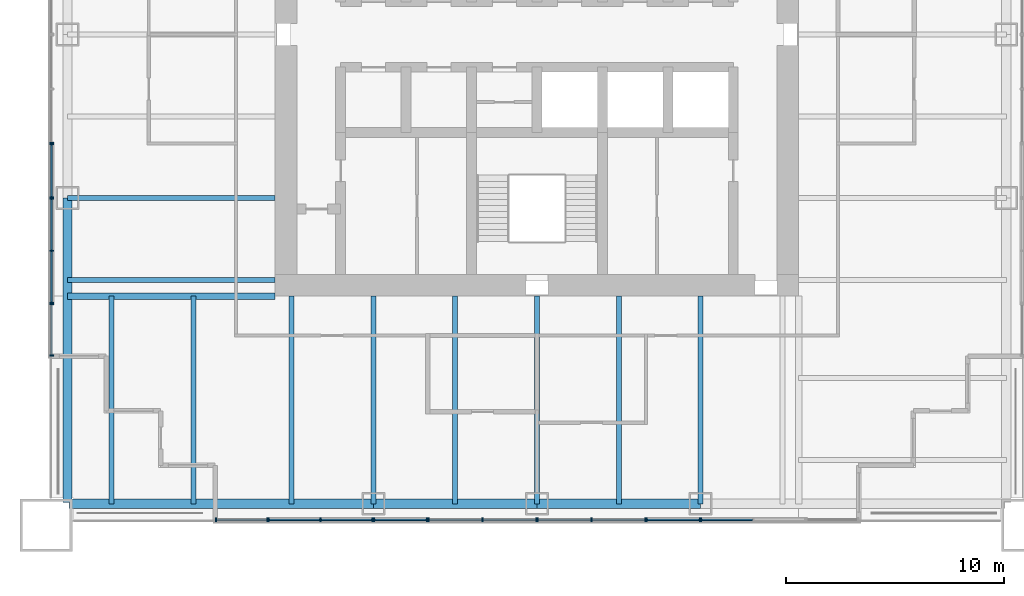
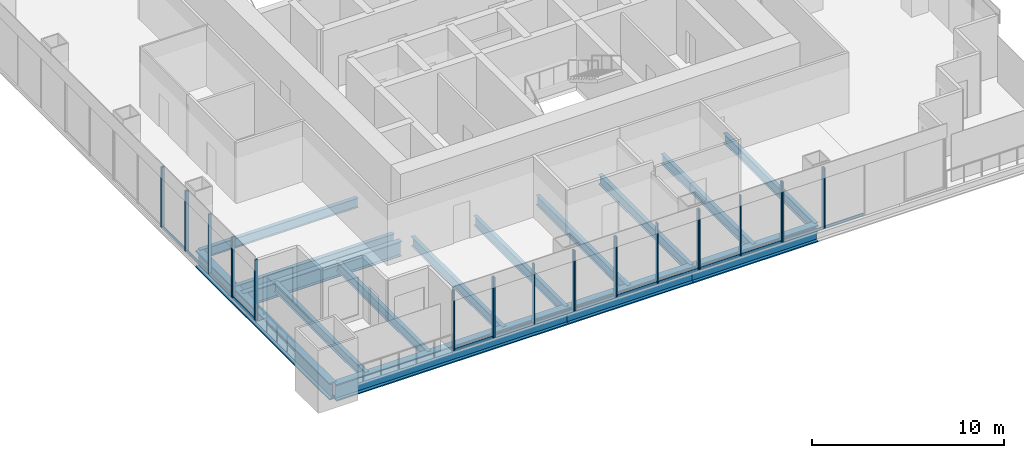
# One storey, part 2 of 13: 38 members, 15 beams, 11 elements without a shape of their own.
"""IFC4 building model written with IfcOpenShell, lengths in metres."""

from ifc_helpers import new_model, si_unit, direction, frame, origin, origin_2d, place, context, subcontext, project, spatial, rectangle, i_section, extrude, material, material_profile, profile_set, type_object, element, aggregate, save


model = new_model("IFC4")

# Units and contexts
model_context = context("Model", 3, precision=1e-05, world=origin(), true_north=direction((0.0, 1.0)))
body_context = subcontext(model_context, "Body", "Model", "MODEL_VIEW")
ifc_project = project(units=[si_unit("LENGTHUNIT", "METRE"), si_unit("AREAUNIT", "SQUARE_METRE"), si_unit("VOLUMEUNIT", "CUBIC_METRE"), si_unit("PLANEANGLEUNIT", "RADIAN"), si_unit("MASSUNIT", "GRAM", prefix="KILO")], contexts=[model_context])

# Site, building, storey
site_placement = place(None, origin())
site = spatial("IfcSite", under=ifc_project, at=site_placement, CompositionType="ELEMENT")
building_placement = place(site_placement, origin())
building = spatial("IfcBuilding", under=site, at=building_placement, Name="Tarangal Relay Tower", CompositionType="ELEMENT")
storey_placement = place(building_placement, frame((0.0, 0.0, 225.89990234375)))
storey = spatial("IfcBuildingStorey", under=building, at=storey_placement, Name="L48", CompositionType="ELEMENT", Elevation=225.89990234375)

# Beams
ifc_material_1 = material(Name="Steel ASTM A992", Category="steel")
ifc_material_profile_1 = material_profile(ifc_material_1, i_section(OverallWidth=0.227783203125, OverallDepth=0.60205078125, WebThickness=0.010498046875, FlangeThickness=0.014892578125, at=origin_2d()), Name="W24X68")
ifc_profile_set_1 = profile_set([ifc_material_profile_1], Name="Steel ASTM A992")
beam_type_1 = type_object("IfcBeamType", Name="Corner beam W24X68", PredefinedType="JOIST", material=ifc_profile_set_1)
for number, where, z_axis, x_axis, name in (
    (1, (-15.75, -12.0, -0.450927734375), (0.0, -1.0, 0.0), (1.0, 0.0, 0.0), "Corner beam CB11 S L48"),
    (2, (-19.5, -12.0, -0.450927734375), (0.0, -1.0, 0.0), (1.0, 0.0, 0.0), "Corner beam CB11 S L48"),
):
    element("IfcBeam", number, at=place(storey_placement, frame(where, z_axis=z_axis, x_axis=x_axis)), inside=storey, type_object=beam_type_1, Name=name, PredefinedType="JOIST", context=body_context, shape_type="SweptSolid", body=[
        extrude(i_section(OverallWidth=0.227783203125, OverallDepth=0.60205078125, WebThickness=0.010498046875, FlangeThickness=0.014892578125, at=origin_2d()), origin(), (0.0, 0.0, 1.0), 9.514892578125),
    ])
ifc_material_profile_2 = material_profile(ifc_material_1, i_section(OverallWidth=0.307373046875, OverallDepth=0.9423828125, WebThickness=0.022216796875, FlangeThickness=0.039794921875, at=origin_2d()), Name="W36X232")
ifc_profile_set_2 = profile_set([ifc_material_profile_2], Name="Steel ASTM A992")
beam_type_2 = type_object("IfcBeamType", Name="Corner girder W36X232", PredefinedType="BEAM", material=ifc_profile_set_2)
beam_placement = place(storey_placement, frame((-12.0, -12.0, -0.62109375), z_axis=(-1.0, 0.0, 0.0), x_axis=(0.0, -1.0, 0.0)))
element("IfcBeam", 3, at=beam_placement, inside=storey, type_object=beam_type_2, Name="Corner girder CG4 S L48", PredefinedType="BEAM", context=body_context, shape_type="SweptSolid", body=[
    extrude(i_section(OverallWidth=0.307373046875, OverallDepth=0.9423828125, WebThickness=0.022216796875, FlangeThickness=0.039794921875, at=origin_2d()), origin(), (0.0, 0.0, 1.0), 9.514892578125),
])
ifc_material_profile_3 = material_profile(ifc_material_1, i_section(OverallWidth=0.41650390625, OverallDepth=1.0693359375, WebThickness=0.0390625, FlangeThickness=0.070068359375, at=origin_2d()), Name="W40X503")
ifc_profile_set_3 = profile_set([ifc_material_profile_3], Name="Steel ASTM A992")
beam_type_3 = type_object("IfcBeamType", Name="Edge girder W40X503", PredefinedType="SPANDREL", material=ifc_profile_set_3)
for number, where, z_axis, x_axis, name in (
    (4, (7.5, -21.514892578125, -0.6845703125), (-1.0, 0.0, 0.0), (0.0, -1.0, 0.0), "Edge girder EG8 S L48"),
    (5, (0.0, -21.514892578125, -0.6845703125), (-1.0, 0.0, 0.0), (0.0, -1.0, 0.0), "Edge girder EG8 S L48"),
):
    element("IfcBeam", number, at=place(storey_placement, frame(where, z_axis=z_axis, x_axis=x_axis)), inside=storey, type_object=beam_type_3, Name=name, PredefinedType="SPANDREL", context=body_context, shape_type="SweptSolid", body=[
        extrude(i_section(OverallWidth=0.41650390625, OverallDepth=1.0693359375, WebThickness=0.0390625, FlangeThickness=0.070068359375, at=origin_2d()), origin(), (0.0, 0.0, 1.0), 7.5),
    ])
for number, where, z_axis, x_axis, name in (
    (6, (-7.5, -21.514892578125, -0.6845703125), (-1.0, 0.0, 0.0), (0.0, -1.0, 0.0), "Edge girder EG8 S L48"),
    (7, (-21.514892578125, -21.449951171875, -0.6845703125), (0.0, 1.0, 0.0), (-1.0, 0.0, 0.0), "Edge girder EG8 W L48"),
):
    element("IfcBeam", number, at=place(storey_placement, frame(where, z_axis=z_axis, x_axis=x_axis)), inside=storey, type_object=beam_type_3, Name=name, PredefinedType="SPANDREL", context=body_context, shape_type="SweptSolid", body=[
        extrude(i_section(OverallWidth=0.41650390625, OverallDepth=1.0693359375, WebThickness=0.0390625, FlangeThickness=0.070068359375, at=origin_2d()), origin(), (0.0, 0.0, 1.0), 13.949951171875),
    ])
ifc_material_profile_4 = material_profile(ifc_material_1, i_section(OverallWidth=0.22900390625, OverallDepth=0.612060546875, WebThickness=0.011962890625, FlangeThickness=0.01953125, at=origin_2d()), Name="W24X84")
ifc_profile_set_4 = profile_set([ifc_material_profile_4], Name="Steel ASTM A992")
beam_type_4 = type_object("IfcBeamType", Name="Floor beam W24X84", PredefinedType="BEAM", material=ifc_profile_set_4)
for number, where, z_axis, x_axis, name in (
    (8, (7.5, -12.0, -0.455810546875), (0.0, -1.0, 0.0), (1.0, 0.0, 0.0), "Floor beam RB12 S L48"),
    (9, (3.75, -12.0, -0.455810546875), (0.0, -1.0, 0.0), (1.0, 0.0, 0.0), "Floor beam RB12 S L48"),
    (10, (0.0, -12.0, -0.455810546875), (0.0, -1.0, 0.0), (1.0, 0.0, 0.0), "Floor beam RB12 S L48"),
    (11, (-3.75, -12.0, -0.455810546875), (0.0, -1.0, 0.0), (1.0, 0.0, 0.0), "Floor beam RB12 S L48"),
    (12, (-7.5, -12.0, -0.455810546875), (0.0, -1.0, 0.0), (1.0, 0.0, 0.0), "Floor beam RB12 S L48"),
    (13, (-11.25, -12.0, -0.455810546875), (0.0, -1.0, 0.0), (1.0, 0.0, 0.0), "Floor beam RB12 S L48"),
    (14, (-12.0, -11.25, -0.455810546875), (-1.0, 0.0, 0.0), (0.0, -1.0, 0.0), "Floor beam RB12 W L48"),
    (15, (-12.0, -7.5, -0.455810546875), (-1.0, 0.0, 0.0), (0.0, -1.0, 0.0), "Floor beam RB12 W L48"),
):
    element("IfcBeam", number, at=place(storey_placement, frame(where, z_axis=z_axis, x_axis=x_axis)), inside=storey, type_object=beam_type_4, Name=name, PredefinedType="BEAM", context=body_context, shape_type="SweptSolid", body=[
        extrude(i_section(OverallWidth=0.22900390625, OverallDepth=0.612060546875, WebThickness=0.011962890625, FlangeThickness=0.01953125, at=origin_2d()), origin(), (0.0, 0.0, 1.0), 9.514892578125),
    ])

# Curtain wall, members
ifc_material_2 = material(Name="Unitised curtain wall, dark glass and black aluminium", Category="aluminium")
curtain_wall_type_1 = type_object("IfcCurtainWallType", Name="Curtain wall CW-A", PredefinedType="USERDEFINED", material=ifc_material_2)
curtain_wall_1_placement = place(storey_placement, origin())
curtain_wall_1 = element("IfcCurtainWall", 16, at=curtain_wall_1_placement, inside=storey, type_object=curtain_wall_type_1, Name="Curtain wall CW-A S facade L48", ObjectType="UNITISED CURTAIN WALL", PredefinedType="USERDEFINED")
ifc_material_3 = material(Name="Black anodised aluminium mullion", Category="aluminium")
ifc_material_profile_5 = material_profile(ifc_material_3, rectangle(XDim=0.175048828125, YDim=0.06494140625, at=origin_2d()), Name="CW-AM 65X175")
ifc_profile_set_5 = profile_set([ifc_material_profile_5], Name="Black anodised aluminium mullion")
member_type_1 = type_object("IfcMemberType", Name="Mullion CW-A 65 x 175", PredefinedType="MULLION", material=ifc_profile_set_5)
member_1_placement = place(storey_placement, frame((4.967529296875, -22.25, 0.0), z_axis=(0.0, 0.0, 1.0), x_axis=(0.0, -1.0, 0.0)))
member_1 = element("IfcMember", 17, at=member_1_placement, type_object=member_type_1, Name="CW-A mullion 1", PredefinedType="MULLION", context=body_context, shape_type="SweptSolid", body=[
    extrude(rectangle(XDim=0.175048828125, YDim=0.06494140625, at=origin_2d()), origin(), (0.0, 0.0, 1.0), 3.85009765625),
])
member_2_placement = place(storey_placement, frame((2.5, -22.25, 0.0), z_axis=(0.0, 0.0, 1.0), x_axis=(0.0, -1.0, 0.0)))
member_2 = element("IfcMember", 18, at=member_2_placement, type_object=member_type_1, Name="CW-A mullion 2", PredefinedType="MULLION", context=body_context, shape_type="SweptSolid", body=[
    extrude(rectangle(XDim=0.175048828125, YDim=0.06494140625, at=origin_2d()), origin(), (0.0, 0.0, 1.0), 3.85009765625),
])
member_3_placement = place(storey_placement, frame((0.032470703125, -22.25, 0.0), z_axis=(0.0, 0.0, 1.0), x_axis=(0.0, -1.0, 0.0)))
member_3 = element("IfcMember", 19, at=member_3_placement, type_object=member_type_1, Name="CW-A mullion 3", PredefinedType="MULLION", context=body_context, shape_type="SweptSolid", body=[
    extrude(rectangle(XDim=0.175048828125, YDim=0.06494140625, at=origin_2d()), origin(), (0.0, 0.0, 1.0), 3.85009765625),
])

curtain_wall_2_placement = place(storey_placement, origin())
curtain_wall_2 = element("IfcCurtainWall", 20, at=curtain_wall_2_placement, inside=storey, type_object=curtain_wall_type_1, Name="Curtain wall CW-A S facade L48", ObjectType="UNITISED CURTAIN WALL", PredefinedType="USERDEFINED")
member_4_placement = place(storey_placement, frame((-0.032470703125, -22.25, 0.0), z_axis=(0.0, 0.0, 1.0), x_axis=(0.0, -1.0, 0.0)))
member_4 = element("IfcMember", 21, at=member_4_placement, type_object=member_type_1, Name="CW-A mullion 1", PredefinedType="MULLION", context=body_context, shape_type="SweptSolid", body=[
    extrude(rectangle(XDim=0.175048828125, YDim=0.06494140625, at=origin_2d()), origin(), (0.0, 0.0, 1.0), 3.85009765625),
])
member_5_placement = place(storey_placement, frame((-2.5, -22.25, 0.0), z_axis=(0.0, 0.0, 1.0), x_axis=(0.0, -1.0, 0.0)))
member_5 = element("IfcMember", 22, at=member_5_placement, type_object=member_type_1, Name="CW-A mullion 2", PredefinedType="MULLION", context=body_context, shape_type="SweptSolid", body=[
    extrude(rectangle(XDim=0.175048828125, YDim=0.06494140625, at=origin_2d()), origin(), (0.0, 0.0, 1.0), 3.85009765625),
])
member_6_placement = place(storey_placement, frame((-4.967529296875, -22.25, 0.0), z_axis=(0.0, 0.0, 1.0), x_axis=(0.0, -1.0, 0.0)))
member_6 = element("IfcMember", 23, at=member_6_placement, type_object=member_type_1, Name="CW-A mullion 3", PredefinedType="MULLION", context=body_context, shape_type="SweptSolid", body=[
    extrude(rectangle(XDim=0.175048828125, YDim=0.06494140625, at=origin_2d()), origin(), (0.0, 0.0, 1.0), 3.85009765625),
])

curtain_wall_3_placement = place(storey_placement, origin())
curtain_wall_3 = element("IfcCurtainWall", 24, at=curtain_wall_3_placement, inside=storey, type_object=curtain_wall_type_1, Name="Curtain wall CW-A S facade L48", ObjectType="UNITISED CURTAIN WALL", PredefinedType="USERDEFINED")
member_7_placement = place(storey_placement, frame((-12.36572265625, -22.25, 0.0), z_axis=(0.0, 0.0, 1.0), x_axis=(0.0, -1.0, 0.0)))
member_7 = element("IfcMember", 25, at=member_7_placement, type_object=member_type_1, Name="CW-A mullion 1", PredefinedType="MULLION", context=body_context, shape_type="SweptSolid", body=[
    extrude(rectangle(XDim=0.175048828125, YDim=0.06494140625, at=origin_2d()), origin(), (0.0, 0.0, 1.0), 3.85009765625),
])
member_8_placement = place(storey_placement, frame((-14.717529296875, -22.25, 0.0), z_axis=(0.0, 0.0, 1.0), x_axis=(0.0, -1.0, 0.0)))
member_8 = element("IfcMember", 26, at=member_8_placement, type_object=member_type_1, Name="CW-A mullion 2", PredefinedType="MULLION", context=body_context, shape_type="SweptSolid", body=[
    extrude(rectangle(XDim=0.175048828125, YDim=0.06494140625, at=origin_2d()), origin(), (0.0, 0.0, 1.0), 3.85009765625),
])

curtain_wall_4_placement = place(storey_placement, origin())
curtain_wall_4 = element("IfcCurtainWall", 27, at=curtain_wall_4_placement, inside=storey, type_object=curtain_wall_type_1, Name="Curtain wall CW-A W facade L48", ObjectType="UNITISED CURTAIN WALL", PredefinedType="USERDEFINED")
member_9_placement = place(storey_placement, frame((-22.25, -14.717529296875, 0.0), z_axis=(0.0, 0.0, 1.0), x_axis=(-1.0, 0.0, 0.0)))
member_9 = element("IfcMember", 28, at=member_9_placement, type_object=member_type_1, Name="CW-A mullion 1", PredefinedType="MULLION", context=body_context, shape_type="SweptSolid", body=[
    extrude(rectangle(XDim=0.175048828125, YDim=0.06494140625, at=origin_2d()), origin(), (0.0, 0.0, 1.0), 3.85009765625),
])
member_10_placement = place(storey_placement, frame((-22.25, -12.36572265625, 0.0), z_axis=(0.0, 0.0, 1.0), x_axis=(-1.0, 0.0, 0.0)))
member_10 = element("IfcMember", 29, at=member_10_placement, type_object=member_type_1, Name="CW-A mullion 2", PredefinedType="MULLION", context=body_context, shape_type="SweptSolid", body=[
    extrude(rectangle(XDim=0.175048828125, YDim=0.06494140625, at=origin_2d()), origin(), (0.0, 0.0, 1.0), 3.85009765625),
])

# Curtain wall, member
curtain_wall_5_placement = place(storey_placement, origin())
curtain_wall_5 = element("IfcCurtainWall", 30, at=curtain_wall_5_placement, inside=storey, type_object=curtain_wall_type_1, Name="Curtain wall CW-A W facade L48", ObjectType="UNITISED CURTAIN WALL", PredefinedType="USERDEFINED")
member_11_placement = place(storey_placement, frame((-22.25, -4.967529296875, 0.0), z_axis=(0.0, 0.0, 1.0), x_axis=(-1.0, 0.0, 0.0)))
member_11 = element("IfcMember", 31, at=member_11_placement, type_object=member_type_1, Name="CW-A mullion 1", PredefinedType="MULLION", context=body_context, shape_type="SweptSolid", body=[
    extrude(rectangle(XDim=0.175048828125, YDim=0.06494140625, at=origin_2d()), origin(), (0.0, 0.0, 1.0), 3.85009765625),
])
aggregate(curtain_wall_5, [member_11])

ifc_material_4 = material(Name="Unitised curtain wall frame, black aluminium, with metal clad infill walls", Category="aluminium")
curtain_wall_type_2 = type_object("IfcCurtainWallType", Name="Curtain wall CW-AO", PredefinedType="USERDEFINED", material=ifc_material_4)
curtain_wall_6_placement = place(storey_placement, origin())
curtain_wall_6 = element("IfcCurtainWall", 32, at=curtain_wall_6_placement, inside=storey, type_object=curtain_wall_type_2, Name="Curtain wall CW-AO S facade L48", ObjectType="UNITISED CURTAIN WALL", PredefinedType="USERDEFINED")
ifc_material_profile_6 = material_profile(ifc_material_3, rectangle(XDim=0.175048828125, YDim=0.06494140625, at=origin_2d()), Name="CW-AOM 65X175")
ifc_profile_set_6 = profile_set([ifc_material_profile_6], Name="Black anodised aluminium mullion")
member_type_2 = type_object("IfcMemberType", Name="Mullion CW-AO 65 x 175", PredefinedType="MULLION", material=ifc_profile_set_6)
member_12_placement = place(storey_placement, frame((7.532470703125, -22.25, 0.0), z_axis=(0.0, 0.0, 1.0), x_axis=(0.0, -1.0, 0.0)))
member_12 = element("IfcMember", 33, at=member_12_placement, type_object=member_type_2, Name="CW-AO mullion 3", PredefinedType="MULLION", context=body_context, shape_type="SweptSolid", body=[
    extrude(rectangle(XDim=0.175048828125, YDim=0.06494140625, at=origin_2d()), origin(), (0.0, 0.0, 1.0), 3.85009765625),
])

# Curtain wall, members
curtain_wall_7_placement = place(storey_placement, origin())
curtain_wall_7 = element("IfcCurtainWall", 34, at=curtain_wall_7_placement, inside=storey, type_object=curtain_wall_type_2, Name="Curtain wall CW-AO S facade L48", ObjectType="UNITISED CURTAIN WALL", PredefinedType="USERDEFINED")
member_13_placement = place(storey_placement, frame((7.467529296875, -22.25, 0.0), z_axis=(0.0, 0.0, 1.0), x_axis=(0.0, -1.0, 0.0)))
member_13 = element("IfcMember", 35, at=member_13_placement, type_object=member_type_2, Name="CW-AO mullion 1", PredefinedType="MULLION", context=body_context, shape_type="SweptSolid", body=[
    extrude(rectangle(XDim=0.175048828125, YDim=0.06494140625, at=origin_2d()), origin(), (0.0, 0.0, 1.0), 3.85009765625),
])
member_14_placement = place(storey_placement, frame((5.032470703125, -22.25, 0.0), z_axis=(0.0, 0.0, 1.0), x_axis=(0.0, -1.0, 0.0)))
member_14 = element("IfcMember", 36, at=member_14_placement, type_object=member_type_2, Name="CW-AO mullion 2", PredefinedType="MULLION", context=body_context, shape_type="SweptSolid", body=[
    extrude(rectangle(XDim=0.175048828125, YDim=0.06494140625, at=origin_2d()), origin(), (0.0, 0.0, 1.0), 3.85009765625),
])

curtain_wall_8_placement = place(storey_placement, origin())
curtain_wall_8 = element("IfcCurtainWall", 37, at=curtain_wall_8_placement, inside=storey, type_object=curtain_wall_type_2, Name="Curtain wall CW-AO S facade L48", ObjectType="UNITISED CURTAIN WALL", PredefinedType="USERDEFINED")
member_15_placement = place(storey_placement, frame((-5.032470703125, -22.25, 0.0), z_axis=(0.0, 0.0, 1.0), x_axis=(0.0, -1.0, 0.0)))
member_15 = element("IfcMember", 38, at=member_15_placement, type_object=member_type_2, Name="CW-AO mullion 1", PredefinedType="MULLION", context=body_context, shape_type="SweptSolid", body=[
    extrude(rectangle(XDim=0.175048828125, YDim=0.06494140625, at=origin_2d()), origin(), (0.0, 0.0, 1.0), 3.85009765625),
])
member_16_placement = place(storey_placement, frame((-7.467529296875, -22.25, 0.0), z_axis=(0.0, 0.0, 1.0), x_axis=(0.0, -1.0, 0.0)))
member_16 = element("IfcMember", 39, at=member_16_placement, type_object=member_type_2, Name="CW-AO mullion 2", PredefinedType="MULLION", context=body_context, shape_type="SweptSolid", body=[
    extrude(rectangle(XDim=0.175048828125, YDim=0.06494140625, at=origin_2d()), origin(), (0.0, 0.0, 1.0), 3.85009765625),
])

curtain_wall_9_placement = place(storey_placement, origin())
curtain_wall_9 = element("IfcCurtainWall", 40, at=curtain_wall_9_placement, inside=storey, type_object=curtain_wall_type_2, Name="Curtain wall CW-AO S facade L48", ObjectType="UNITISED CURTAIN WALL", PredefinedType="USERDEFINED")
member_17_placement = place(storey_placement, frame((-7.532470703125, -22.25, 0.0), z_axis=(0.0, 0.0, 1.0), x_axis=(0.0, -1.0, 0.0)))
member_17 = element("IfcMember", 41, at=member_17_placement, type_object=member_type_2, Name="CW-AO mullion 1", PredefinedType="MULLION", context=body_context, shape_type="SweptSolid", body=[
    extrude(rectangle(XDim=0.175048828125, YDim=0.06494140625, at=origin_2d()), origin(), (0.0, 0.0, 1.0), 3.85009765625),
])
member_18_placement = place(storey_placement, frame((-9.916748046875, -22.25, 0.0), z_axis=(0.0, 0.0, 1.0), x_axis=(0.0, -1.0, 0.0)))
member_18 = element("IfcMember", 42, at=member_18_placement, type_object=member_type_2, Name="CW-AO mullion 2", PredefinedType="MULLION", context=body_context, shape_type="SweptSolid", body=[
    extrude(rectangle(XDim=0.175048828125, YDim=0.06494140625, at=origin_2d()), origin(), (0.0, 0.0, 1.0), 3.85009765625),
])
member_19_placement = place(storey_placement, frame((-12.30078125, -22.25, 0.0), z_axis=(0.0, 0.0, 1.0), x_axis=(0.0, -1.0, 0.0)))
member_19 = element("IfcMember", 43, at=member_19_placement, type_object=member_type_2, Name="CW-AO mullion 3", PredefinedType="MULLION", context=body_context, shape_type="SweptSolid", body=[
    extrude(rectangle(XDim=0.175048828125, YDim=0.06494140625, at=origin_2d()), origin(), (0.0, 0.0, 1.0), 3.85009765625),
])

curtain_wall_10_placement = place(storey_placement, origin())
curtain_wall_10 = element("IfcCurtainWall", 44, at=curtain_wall_10_placement, inside=storey, type_object=curtain_wall_type_2, Name="Curtain wall CW-AO W facade L48", ObjectType="UNITISED CURTAIN WALL", PredefinedType="USERDEFINED")
member_20_placement = place(storey_placement, frame((-22.25, -12.30078125, 0.0), z_axis=(0.0, 0.0, 1.0), x_axis=(-1.0, 0.0, 0.0)))
member_20 = element("IfcMember", 45, at=member_20_placement, type_object=member_type_2, Name="CW-AO mullion 1", PredefinedType="MULLION", context=body_context, shape_type="SweptSolid", body=[
    extrude(rectangle(XDim=0.175048828125, YDim=0.06494140625, at=origin_2d()), origin(), (0.0, 0.0, 1.0), 3.85009765625),
])
member_21_placement = place(storey_placement, frame((-22.25, -9.916748046875, 0.0), z_axis=(0.0, 0.0, 1.0), x_axis=(-1.0, 0.0, 0.0)))
member_21 = element("IfcMember", 46, at=member_21_placement, type_object=member_type_2, Name="CW-AO mullion 2", PredefinedType="MULLION", context=body_context, shape_type="SweptSolid", body=[
    extrude(rectangle(XDim=0.175048828125, YDim=0.06494140625, at=origin_2d()), origin(), (0.0, 0.0, 1.0), 3.85009765625),
])
member_22_placement = place(storey_placement, frame((-22.25, -7.532470703125, 0.0), z_axis=(0.0, 0.0, 1.0), x_axis=(-1.0, 0.0, 0.0)))
member_22 = element("IfcMember", 47, at=member_22_placement, type_object=member_type_2, Name="CW-AO mullion 3", PredefinedType="MULLION", context=body_context, shape_type="SweptSolid", body=[
    extrude(rectangle(XDim=0.175048828125, YDim=0.06494140625, at=origin_2d()), origin(), (0.0, 0.0, 1.0), 3.85009765625),
])

curtain_wall_11_placement = place(storey_placement, origin())
curtain_wall_11 = element("IfcCurtainWall", 48, at=curtain_wall_11_placement, inside=storey, type_object=curtain_wall_type_2, Name="Curtain wall CW-AO W facade L48", ObjectType="UNITISED CURTAIN WALL", PredefinedType="USERDEFINED")
member_23_placement = place(storey_placement, frame((-22.25, -7.467529296875, 0.0), z_axis=(0.0, 0.0, 1.0), x_axis=(-1.0, 0.0, 0.0)))
member_23 = element("IfcMember", 49, at=member_23_placement, type_object=member_type_2, Name="CW-AO mullion 1", PredefinedType="MULLION", context=body_context, shape_type="SweptSolid", body=[
    extrude(rectangle(XDim=0.175048828125, YDim=0.06494140625, at=origin_2d()), origin(), (0.0, 0.0, 1.0), 3.85009765625),
])
member_24_placement = place(storey_placement, frame((-22.25, -5.032470703125, 0.0), z_axis=(0.0, 0.0, 1.0), x_axis=(-1.0, 0.0, 0.0)))
member_24 = element("IfcMember", 50, at=member_24_placement, type_object=member_type_2, Name="CW-AO mullion 2", PredefinedType="MULLION", context=body_context, shape_type="SweptSolid", body=[
    extrude(rectangle(XDim=0.175048828125, YDim=0.06494140625, at=origin_2d()), origin(), (0.0, 0.0, 1.0), 3.85009765625),
])

# Member
ifc_material_5 = material(Name="Black anodised aluminium transom", Category="aluminium")
ifc_material_profile_7 = material_profile(ifc_material_5, rectangle(XDim=0.06494140625, YDim=0.14990234375, at=origin_2d()), Name="CW-AT 65X150")
ifc_profile_set_7 = profile_set([ifc_material_profile_7], Name="Black anodised aluminium transom")
member_type_3 = type_object("IfcMemberType", Name="Transom CW-A 65 x 150", PredefinedType="USERDEFINED", material=ifc_profile_set_7)
member_25_placement = place(storey_placement, frame((4.93505859375, -22.25, 0.03271484375), z_axis=(-1.0, 0.0, 0.0), x_axis=(0.0, -1.0, 0.0)))
member_25 = element("IfcMember", 51, at=member_25_placement, type_object=member_type_3, Name="CW-A transom 1.1", ObjectType="TRANSOM", PredefinedType="USERDEFINED", context=body_context, shape_type="SweptSolid", body=[
    extrude(rectangle(XDim=0.06494140625, YDim=0.14990234375, at=origin_2d()), origin(), (0.0, 0.0, 1.0), 2.402587890625),
])

member_26_placement = place(storey_placement, frame((2.467529296875, -22.25, 0.03271484375), z_axis=(-1.0, 0.0, 0.0), x_axis=(0.0, -1.0, 0.0)))
member_26 = element("IfcMember", 52, at=member_26_placement, type_object=member_type_3, Name="CW-A transom 2.1", ObjectType="TRANSOM", PredefinedType="USERDEFINED", context=body_context, shape_type="SweptSolid", body=[
    extrude(rectangle(XDim=0.06494140625, YDim=0.14990234375, at=origin_2d()), origin(), (0.0, 0.0, 1.0), 2.402587890625),
])

aggregate(curtain_wall_1, [member_1, member_2, member_3, member_25, member_26])

member_27_placement = place(storey_placement, frame((-0.06494140625, -22.25, 0.03271484375), z_axis=(-1.0, 0.0, 0.0), x_axis=(0.0, -1.0, 0.0)))
member_27 = element("IfcMember", 53, at=member_27_placement, type_object=member_type_3, Name="CW-A transom 1.1", ObjectType="TRANSOM", PredefinedType="USERDEFINED", context=body_context, shape_type="SweptSolid", body=[
    extrude(rectangle(XDim=0.06494140625, YDim=0.14990234375, at=origin_2d()), origin(), (0.0, 0.0, 1.0), 2.402587890625),
])

member_28_placement = place(storey_placement, frame((-2.532470703125, -22.25, 0.03271484375), z_axis=(-1.0, 0.0, 0.0), x_axis=(0.0, -1.0, 0.0)))
member_28 = element("IfcMember", 54, at=member_28_placement, type_object=member_type_3, Name="CW-A transom 2.1", ObjectType="TRANSOM", PredefinedType="USERDEFINED", context=body_context, shape_type="SweptSolid", body=[
    extrude(rectangle(XDim=0.06494140625, YDim=0.14990234375, at=origin_2d()), origin(), (0.0, 0.0, 1.0), 2.402587890625),
])

aggregate(curtain_wall_2, [member_4, member_5, member_6, member_27, member_28])

member_29_placement = place(storey_placement, frame((-12.398193359375, -22.25, 0.03271484375), z_axis=(-1.0, 0.0, 0.0), x_axis=(0.0, -1.0, 0.0)))
member_29 = element("IfcMember", 55, at=member_29_placement, type_object=member_type_3, Name="CW-A transom 1.1", ObjectType="TRANSOM", PredefinedType="USERDEFINED", context=body_context, shape_type="SweptSolid", body=[
    extrude(rectangle(XDim=0.06494140625, YDim=0.14990234375, at=origin_2d()), origin(), (0.0, 0.0, 1.0), 2.286865234375),
])

aggregate(curtain_wall_3, [member_7, member_8, member_29])

member_30_placement = place(storey_placement, frame((-22.25, -14.68505859375, 0.03271484375), z_axis=(0.0, 1.0, 0.0), x_axis=(-1.0, 0.0, 0.0)))
member_30 = element("IfcMember", 56, at=member_30_placement, type_object=member_type_3, Name="CW-A transom 1.1", ObjectType="TRANSOM", PredefinedType="USERDEFINED", context=body_context, shape_type="SweptSolid", body=[
    extrude(rectangle(XDim=0.06494140625, YDim=0.14990234375, at=origin_2d()), origin(), (0.0, 0.0, 1.0), 2.286865234375),
])

aggregate(curtain_wall_4, [member_9, member_10, member_30])

ifc_material_profile_8 = material_profile(ifc_material_5, rectangle(XDim=0.06494140625, YDim=0.14990234375, at=origin_2d()), Name="CW-AOT 65X150")
ifc_profile_set_8 = profile_set([ifc_material_profile_8], Name="Black anodised aluminium transom")
member_type_4 = type_object("IfcMemberType", Name="Transom CW-AO 65 x 150", PredefinedType="USERDEFINED", material=ifc_profile_set_8)
member_31_placement = place(storey_placement, frame((9.884033203125, -22.25, 0.03271484375), z_axis=(-1.0, 0.0, 0.0), x_axis=(0.0, -1.0, 0.0)))
member_31 = element("IfcMember", 57, at=member_31_placement, type_object=member_type_4, Name="CW-AO transom 2.1", ObjectType="TRANSOM", PredefinedType="USERDEFINED", context=body_context, shape_type="SweptSolid", body=[
    extrude(rectangle(XDim=0.06494140625, YDim=0.14990234375, at=origin_2d()), origin(), (0.0, 0.0, 1.0), 2.319091796875),
])

aggregate(curtain_wall_6, [member_12, member_31])

member_32_placement = place(storey_placement, frame((7.43505859375, -22.25, 0.03271484375), z_axis=(-1.0, 0.0, 0.0), x_axis=(0.0, -1.0, 0.0)))
member_32 = element("IfcMember", 58, at=member_32_placement, type_object=member_type_4, Name="CW-AO transom 1.1", ObjectType="TRANSOM", PredefinedType="USERDEFINED", context=body_context, shape_type="SweptSolid", body=[
    extrude(rectangle(XDim=0.06494140625, YDim=0.14990234375, at=origin_2d()), origin(), (0.0, 0.0, 1.0), 2.3701171875),
])

aggregate(curtain_wall_7, [member_13, member_14, member_32])

member_33_placement = place(storey_placement, frame((-5.06494140625, -22.25, 0.03271484375), z_axis=(-1.0, 0.0, 0.0), x_axis=(0.0, -1.0, 0.0)))
member_33 = element("IfcMember", 59, at=member_33_placement, type_object=member_type_4, Name="CW-AO transom 1.1", ObjectType="TRANSOM", PredefinedType="USERDEFINED", context=body_context, shape_type="SweptSolid", body=[
    extrude(rectangle(XDim=0.06494140625, YDim=0.14990234375, at=origin_2d()), origin(), (0.0, 0.0, 1.0), 2.3701171875),
])

aggregate(curtain_wall_8, [member_15, member_16, member_33])

member_34_placement = place(storey_placement, frame((-7.56494140625, -22.25, 0.03271484375), z_axis=(-1.0, 0.0, 0.0), x_axis=(0.0, -1.0, 0.0)))
member_34 = element("IfcMember", 60, at=member_34_placement, type_object=member_type_4, Name="CW-AO transom 1.1", ObjectType="TRANSOM", PredefinedType="USERDEFINED", context=body_context, shape_type="SweptSolid", body=[
    extrude(rectangle(XDim=0.06494140625, YDim=0.14990234375, at=origin_2d()), origin(), (0.0, 0.0, 1.0), 2.319091796875),
])

member_35_placement = place(storey_placement, frame((-9.94921875, -22.25, 0.03271484375), z_axis=(-1.0, 0.0, 0.0), x_axis=(0.0, -1.0, 0.0)))
member_35 = element("IfcMember", 61, at=member_35_placement, type_object=member_type_4, Name="CW-AO transom 2.1", ObjectType="TRANSOM", PredefinedType="USERDEFINED", context=body_context, shape_type="SweptSolid", body=[
    extrude(rectangle(XDim=0.06494140625, YDim=0.14990234375, at=origin_2d()), origin(), (0.0, 0.0, 1.0), 2.319091796875),
])

aggregate(curtain_wall_9, [member_17, member_18, member_19, member_34, member_35])

member_36_placement = place(storey_placement, frame((-22.25, -12.268310546875, 0.03271484375), z_axis=(0.0, 1.0, 0.0), x_axis=(-1.0, 0.0, 0.0)))
member_36 = element("IfcMember", 62, at=member_36_placement, type_object=member_type_4, Name="CW-AO transom 1.1", ObjectType="TRANSOM", PredefinedType="USERDEFINED", context=body_context, shape_type="SweptSolid", body=[
    extrude(rectangle(XDim=0.06494140625, YDim=0.14990234375, at=origin_2d()), origin(), (0.0, 0.0, 1.0), 2.319091796875),
])

member_37_placement = place(storey_placement, frame((-22.25, -9.884033203125, 0.03271484375), z_axis=(0.0, 1.0, 0.0), x_axis=(-1.0, 0.0, 0.0)))
member_37 = element("IfcMember", 63, at=member_37_placement, type_object=member_type_4, Name="CW-AO transom 2.1", ObjectType="TRANSOM", PredefinedType="USERDEFINED", context=body_context, shape_type="SweptSolid", body=[
    extrude(rectangle(XDim=0.06494140625, YDim=0.14990234375, at=origin_2d()), origin(), (0.0, 0.0, 1.0), 2.319091796875),
])

aggregate(curtain_wall_10, [member_20, member_21, member_22, member_36, member_37])

member_38_placement = place(storey_placement, frame((-22.25, -7.43505859375, 0.03271484375), z_axis=(0.0, 1.0, 0.0), x_axis=(-1.0, 0.0, 0.0)))
member_38 = element("IfcMember", 64, at=member_38_placement, type_object=member_type_4, Name="CW-AO transom 1.1", ObjectType="TRANSOM", PredefinedType="USERDEFINED", context=body_context, shape_type="SweptSolid", body=[
    extrude(rectangle(XDim=0.06494140625, YDim=0.14990234375, at=origin_2d()), origin(), (0.0, 0.0, 1.0), 2.3701171875),
])

aggregate(curtain_wall_11, [member_23, member_24, member_38])

save(model, "model.ifc")
